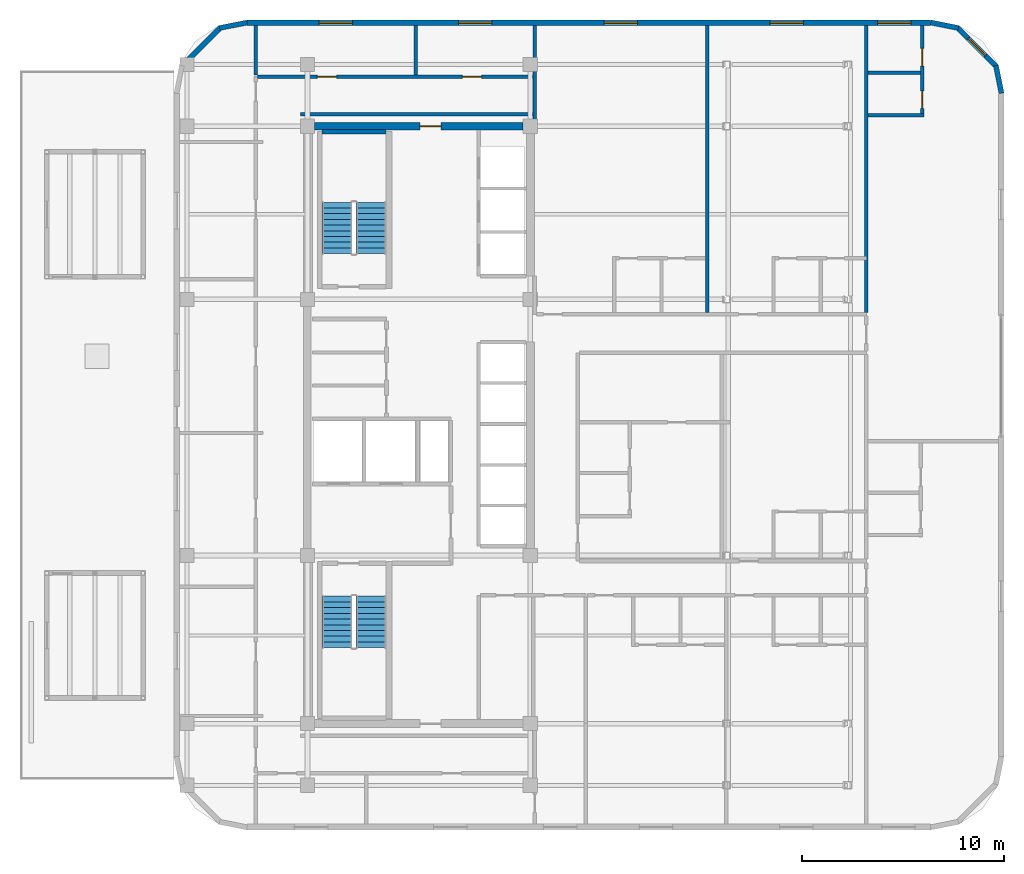
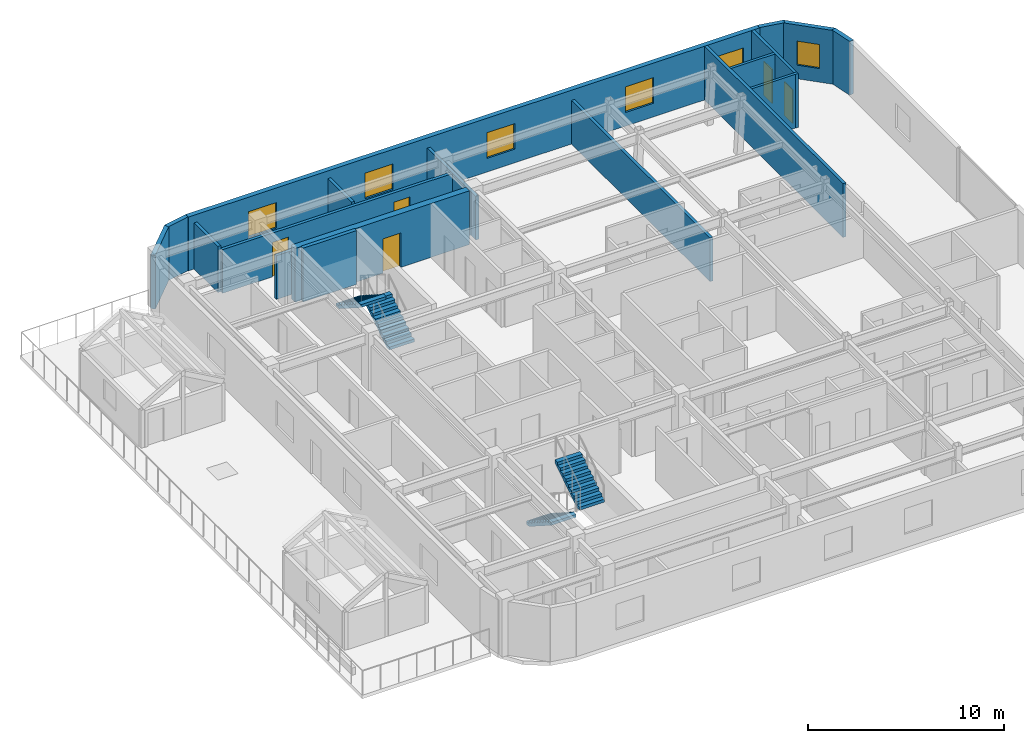
# One storey, part 15 of 16: 18 walls, 6 windows, 5 doors, 4 stair flights, 11 openings, 2 elements without a shape of their own.
"""IFC4 building model written with IfcOpenShell, lengths in metres."""

from ifc_helpers import new_model, si_unit, direction, frame, frame_2d, origin, place, context, subcontext, project, spatial, polyline, rectangle, outline, extrude, material, layer, layer_set, type_object, element, fill, aggregate, save


model = new_model("IFC4")

# Units and contexts
model_context = context("Model", 3, precision=1e-05, world=origin(), true_north=direction((0.0, 1.0)))
body_context = subcontext(model_context, "Body", "Model", "MODEL_VIEW")
ifc_project = project(units=[si_unit("LENGTHUNIT", "METRE"), si_unit("AREAUNIT", "SQUARE_METRE"), si_unit("VOLUMEUNIT", "CUBIC_METRE"), si_unit("PLANEANGLEUNIT", "RADIAN"), si_unit("MASSUNIT", "GRAM", prefix="KILO")], contexts=[model_context])

# Site, building, storey
site_placement = place(None, origin())
site = spatial("IfcSite", under=ifc_project, at=site_placement, CompositionType="ELEMENT")
building_placement = place(site_placement, origin())
building = spatial("IfcBuilding", under=site, at=building_placement, Name="Ochreholt Gables", CompositionType="ELEMENT")
storey_placement = place(building_placement, frame((0.0, 0.0, 141.0)))
storey = spatial("IfcBuildingStorey", under=building, at=storey_placement, Name="L36", CompositionType="ELEMENT", Elevation=141.0)

# Wall, opening, door
ifc_material_1 = material(Name="Concrete 50 MPa", Category="concrete")
ifc_layer_1 = layer(ifc_material_1, 0.3798828125, Name="Concrete 50 MPa")
ifc_layer_set_1 = layer_set([ifc_layer_1], Name="Concrete 50 MPa")
wall_type_1 = type_object("IfcWallType", Name="WALL-CSW-380", PredefinedType="SHEAR", material=ifc_layer_set_1)
wall_1_placement = place(storey_placement, frame((24.550048828125, 38.75, 0.0), z_axis=(0.0, 0.0, 1.0), x_axis=(1.0, 0.0, 0.0)))
wall_1 = element("IfcWall", 1, at=wall_1_placement, inside=storey, type_object=wall_type_1, Name="L36 Core North Shear Wall", PredefinedType="SHEAR", context=body_context, shape_type="SweptSolid", body=[
    extrude(rectangle(XDim=10.300048828125, YDim=0.3798828125, at=frame_2d((5.14990234375, 0.0))), origin(), (0.0, 0.0, 1.0), 3.360107421875),
])
opening_1_placement = place(wall_1_placement, frame((5.199951171875, 0.0, 0.0)))
opening_1 = element("IfcOpeningElement", 2, at=opening_1_placement, cuts=wall_1, Name="Opening D-FLB", PredefinedType="OPENING", context=body_context, shape_type="SweptSolid", body=[
    extrude(rectangle(XDim=1.050048828125, YDim=2.14990234375, at=frame_2d((0.52490234375, 1.074951171875))), frame((0.0, 0.199951171875, 0.0), z_axis=(0.0, -1.0, 0.0), x_axis=(1.0, 0.0, 0.0)), (0.0, 0.0, 1.0), 0.39990234375),
])
ifc_material_2 = material(Name="Hollow Metal Steel", Category="steel")
door_type_1 = type_object("IfcDoorType", Name="DR-INT-FLB1050", OperationType="NOTDEFINED", PredefinedType="DOOR", material=ifc_material_2)
door_1_placement = place(opening_1_placement, frame((1.050048828125, 0.0, 0.0), z_axis=(0.0, 0.0, 1.0), x_axis=(-1.0, 0.0, 0.0)))
door_1 = element("IfcDoor", 3, at=door_1_placement, inside=storey, type_object=door_type_1, Name="L36 Door D-C2CRN-L36", OperationType="SINGLE_SWING_RIGHT", OverallHeight=2.14990234375, OverallWidth=1.050048828125, PredefinedType="DOOR", context=body_context, shape_type="SweptSolid", body=[
    extrude(rectangle(XDim=1.050048828125, YDim=2.14990234375, at=frame_2d((0.52490234375, 1.074951171875))), frame((0.0, 0.02490234375, 0.0), z_axis=(0.0, -1.0, 0.0), x_axis=(1.0, 0.0, 0.0)), (0.0, 0.0, 1.0), 0.050048828125),
])
fill(opening_1, door_1)

# Wall, openings, windows
ifc_material_3 = material(Name="Precast concrete 40 MPa", Category="concrete")
ifc_layer_2 = layer(ifc_material_3, 0.280029296875, Name="Precast concrete 40 MPa")
ifc_layer_set_2 = layer_set([ifc_layer_2], Name="Precast concrete 40 MPa")
wall_type_2 = type_object("IfcWallType", Name="WALL-EXT-280", PredefinedType="SOLIDWALL", material=ifc_layer_set_2)
wall_2_placement = place(storey_placement, frame((54.97998046875, 43.860107421875, 0.0), z_axis=(0.0, 0.0, 1.0), x_axis=(-1.0, 0.0, 0.0)))
wall_2 = element("IfcWall", 4, at=wall_2_placement, inside=storey, type_object=wall_type_2, Name="L36 North Exterior Wall", PredefinedType="SOLIDWALL", context=body_context, shape_type="SweptSolid", body=[
    extrude(rectangle(XDim=33.760009765625, YDim=0.280029296875, at=frame_2d((16.8798828125, 0.0))), origin(), (0.0, 0.0, 1.0), 3.360107421875),
])
opening_2_placement = place(wall_2_placement, frame((28.554931640625, 0.0, 0.85009765625)))
opening_2 = element("IfcOpeningElement", 5, at=opening_2_placement, cuts=wall_2, Name="Opening WN-7", PredefinedType="OPENING", context=body_context, shape_type="SweptSolid", body=[
    extrude(rectangle(XDim=1.64990234375, YDim=1.60009765625, at=frame_2d((0.824951171875, 0.800048828125))), frame((0.0, 0.14990234375, 0.0), z_axis=(0.0, -1.0, 0.0), x_axis=(1.0, 0.0, 0.0)), (0.0, 0.0, 1.0), 0.300048828125),
])
opening_3_placement = place(wall_2_placement, frame((21.669921875, 0.0, 0.85009765625)))
opening_3 = element("IfcOpeningElement", 6, at=opening_3_placement, cuts=wall_2, Name="Opening WN-7", PredefinedType="OPENING", context=body_context, shape_type="SweptSolid", body=[
    extrude(rectangle(XDim=1.64990234375, YDim=1.60009765625, at=frame_2d((0.824951171875, 0.800048828125))), frame((0.0, 0.14990234375, 0.0), z_axis=(0.0, -1.0, 0.0), x_axis=(1.0, 0.0, 0.0)), (0.0, 0.0, 1.0), 0.300048828125),
])
opening_4_placement = place(wall_2_placement, frame((14.476318359375, 0.0, 0.85009765625)))
opening_4 = element("IfcOpeningElement", 7, at=opening_4_placement, cuts=wall_2, Name="Opening WN-7", PredefinedType="OPENING", context=body_context, shape_type="SweptSolid", body=[
    extrude(rectangle(XDim=1.64990234375, YDim=1.60009765625, at=frame_2d((0.824951171875, 0.800048828125))), frame((0.0, 0.14990234375, 0.0), z_axis=(0.0, -1.0, 0.0), x_axis=(1.0, 0.0, 0.0)), (0.0, 0.0, 1.0), 0.300048828125),
])
opening_5_placement = place(wall_2_placement, frame((6.2861328125, 0.0, 0.85009765625)))
opening_5 = element("IfcOpeningElement", 8, at=opening_5_placement, cuts=wall_2, Name="Opening WN-7", PredefinedType="OPENING", context=body_context, shape_type="SweptSolid", body=[
    extrude(rectangle(XDim=1.64990234375, YDim=1.60009765625, at=frame_2d((0.824951171875, 0.800048828125))), frame((0.0, 0.14990234375, 0.0), z_axis=(0.0, -1.0, 0.0), x_axis=(1.0, 0.0, 0.0)), (0.0, 0.0, 1.0), 0.300048828125),
])
opening_6_placement = place(wall_2_placement, frame((0.970947265625, 0.0, 0.85009765625)))
opening_6 = element("IfcOpeningElement", 9, at=opening_6_placement, cuts=wall_2, Name="Opening WN-7", PredefinedType="OPENING", context=body_context, shape_type="SweptSolid", body=[
    extrude(rectangle(XDim=1.64990234375, YDim=1.60009765625, at=frame_2d((0.824951171875, 0.800048828125))), frame((0.0, 0.14990234375, 0.0), z_axis=(0.0, -1.0, 0.0), x_axis=(1.0, 0.0, 0.0)), (0.0, 0.0, 1.0), 0.300048828125),
])
ifc_material_4 = material(Name="Triple-Glazed Thermally Broken Aluminium Window", Category="aluminium")
window_type_1 = type_object("IfcWindowType", Name="WIN-RES-1650", PartitioningType="SINGLE_PANEL", PredefinedType="WINDOW", material=ifc_material_4)
window_1_placement = place(opening_2_placement, origin())
window_1 = element("IfcWindow", 10, at=window_1_placement, inside=storey, type_object=window_type_1, Name="L36 Window W-EXT-N-L36-1", OverallHeight=1.60009765625, OverallWidth=1.64990234375, PartitioningType="SINGLE_PANEL", PredefinedType="WINDOW", context=body_context, shape_type="SweptSolid", body=[
    extrude(rectangle(XDim=1.64990234375, YDim=1.60009765625, at=frame_2d((0.824951171875, 0.800048828125))), frame((0.0, 0.030029296875, 0.0), z_axis=(0.0, -1.0, 0.0), x_axis=(1.0, 0.0, 0.0)), (0.0, 0.0, 1.0), 0.06005859375),
])
fill(opening_2, window_1)
window_2_placement = place(opening_3_placement, origin())
window_2 = element("IfcWindow", 11, at=window_2_placement, inside=storey, type_object=window_type_1, Name="L36 Window W-EXT-N-L36-2", OverallHeight=1.60009765625, OverallWidth=1.64990234375, PartitioningType="SINGLE_PANEL", PredefinedType="WINDOW", context=body_context, shape_type="SweptSolid", body=[
    extrude(rectangle(XDim=1.64990234375, YDim=1.60009765625, at=frame_2d((0.824951171875, 0.800048828125))), frame((0.0, 0.030029296875, 0.0), z_axis=(0.0, -1.0, 0.0), x_axis=(1.0, 0.0, 0.0)), (0.0, 0.0, 1.0), 0.06005859375),
])
fill(opening_3, window_2)
window_3_placement = place(opening_4_placement, origin())
window_3 = element("IfcWindow", 12, at=window_3_placement, inside=storey, type_object=window_type_1, Name="L36 Window W-EXT-N-L36-3", OverallHeight=1.60009765625, OverallWidth=1.64990234375, PartitioningType="SINGLE_PANEL", PredefinedType="WINDOW", context=body_context, shape_type="SweptSolid", body=[
    extrude(rectangle(XDim=1.64990234375, YDim=1.60009765625, at=frame_2d((0.824951171875, 0.800048828125))), frame((0.0, 0.030029296875, 0.0), z_axis=(0.0, -1.0, 0.0), x_axis=(1.0, 0.0, 0.0)), (0.0, 0.0, 1.0), 0.06005859375),
])
fill(opening_4, window_3)
window_4_placement = place(opening_5_placement, origin())
window_4 = element("IfcWindow", 13, at=window_4_placement, inside=storey, type_object=window_type_1, Name="L36 Window W-EXT-N-L36-4", OverallHeight=1.60009765625, OverallWidth=1.64990234375, PartitioningType="SINGLE_PANEL", PredefinedType="WINDOW", context=body_context, shape_type="SweptSolid", body=[
    extrude(rectangle(XDim=1.64990234375, YDim=1.60009765625, at=frame_2d((0.824951171875, 0.800048828125))), frame((0.0, 0.030029296875, 0.0), z_axis=(0.0, -1.0, 0.0), x_axis=(1.0, 0.0, 0.0)), (0.0, 0.0, 1.0), 0.06005859375),
])
fill(opening_5, window_4)
window_5_placement = place(opening_6_placement, origin())
window_5 = element("IfcWindow", 14, at=window_5_placement, inside=storey, type_object=window_type_1, Name="L36 Window W-EXT-N-L36-5", OverallHeight=1.60009765625, OverallWidth=1.64990234375, PartitioningType="SINGLE_PANEL", PredefinedType="WINDOW", context=body_context, shape_type="SweptSolid", body=[
    extrude(rectangle(XDim=1.64990234375, YDim=1.60009765625, at=frame_2d((0.824951171875, 0.800048828125))), frame((0.0, 0.030029296875, 0.0), z_axis=(0.0, -1.0, 0.0), x_axis=(1.0, 0.0, 0.0)), (0.0, 0.0, 1.0), 0.06005859375),
])
fill(opening_6, window_5)

# Wall
ifc_layer_3 = layer(ifc_material_3, 0.25, Name="Precast concrete 40 MPa")
ifc_layer_set_3 = layer_set([ifc_layer_3], Name="Precast concrete 40 MPa")
wall_type_3 = type_object("IfcWallType", Name="WALL-EXT-CNR", PredefinedType="SOLIDWALL", material=ifc_layer_set_3)
wall_3_placement = place(storey_placement, frame((58.475830078125, 40.383544921875, 0.0), z_axis=(0.0, 0.0, 1.0), x_axis=(-0.19496651342, 0.980809899341, 0.0)))
element("IfcWall", 15, at=wall_3_placement, inside=storey, type_object=wall_type_3, Name="L36 Rounded Corner Wall NE-1", PredefinedType="SOLIDWALL", context=body_context, shape_type="SweptSolid", body=[
    extrude(rectangle(XDim=1.388671875, YDim=0.25, at=frame_2d((0.6943359375, 0.0))), origin(), (0.0, 0.0, 1.0), 3.360107421875),
])

# Wall, opening, window
wall_4_placement = place(storey_placement, frame((58.23193359375, 41.695068359375, 0.0), z_axis=(0.0, 0.0, 1.0), x_axis=(-0.707106781187, 0.707106781187, 0.0)))
wall_4 = element("IfcWall", 16, at=wall_4_placement, inside=storey, type_object=wall_type_3, Name="L36 Rounded Corner Wall NE-2", PredefinedType="SOLIDWALL", context=body_context, shape_type="SweptSolid", body=[
    extrude(rectangle(XDim=2.7392578125, YDim=0.25, at=frame_2d((1.36962890625, 0.0))), origin(), (0.0, 0.0, 1.0), 3.360107421875),
])
opening_7_placement = place(wall_4_placement, frame((0.769775390625, 0.0, 0.85009765625)))
opening_7 = element("IfcOpeningElement", 17, at=opening_7_placement, cuts=wall_4, Name="Opening WN-3", PredefinedType="OPENING", context=body_context, shape_type="SweptSolid", body=[
    extrude(rectangle(XDim=1.199951171875, YDim=1.5, at=frame_2d((0.60009765625, 0.75))), frame((0.0, 0.135009765625, 0.0), z_axis=(0.0, -1.0, 0.0), x_axis=(1.0, 0.0, 0.0)), (0.0, 0.0, 1.0), 0.27001953125),
])
window_type_2 = type_object("IfcWindowType", Name="WIN-RES-1200", PartitioningType="SINGLE_PANEL", PredefinedType="WINDOW", material=ifc_material_4)
window_6_placement = place(opening_7_placement, origin())
window_6 = element("IfcWindow", 18, at=window_6_placement, inside=storey, type_object=window_type_2, Name="L36 Corner Bedroom Window NE", OverallHeight=1.5, OverallWidth=1.199951171875, PartitioningType="SINGLE_PANEL", PredefinedType="WINDOW", context=body_context, shape_type="SweptSolid", body=[
    extrude(rectangle(XDim=1.199951171875, YDim=1.5, at=frame_2d((0.60009765625, 0.75))), frame((0.0, 0.030029296875, 0.0), z_axis=(0.0, -1.0, 0.0), x_axis=(1.0, 0.0, 0.0)), (0.0, 0.0, 1.0), 0.06005859375),
])
fill(opening_7, window_6)

# Walls
for number, where, z_axis, x_axis, name in (
    (19, (56.345458984375, 43.60498046875, 0.0), (0.0, 0.0, 1.0), (-0.980809899341, 0.19496651342, 0.0), "L36 Rounded Corner Wall NE-3"),
    (20, (21.216552734375, 43.875732421875, 0.0), (0.0, 0.0, 1.0), (-0.980809899341, -0.19496651342, 0.0), "L36 Rounded Corner Wall NW-1"),
):
    element("IfcWall", number, at=place(storey_placement, frame(where, z_axis=z_axis, x_axis=x_axis)), inside=storey, type_object=wall_type_3, Name=name, PredefinedType="SOLIDWALL", context=body_context, shape_type="SweptSolid", body=[
        extrude(rectangle(XDim=1.388671875, YDim=0.25, at=frame_2d((0.6943359375, 0.0))), origin(), (0.0, 0.0, 1.0), 3.360107421875),
    ])
wall_5_placement = place(storey_placement, frame((19.905029296875, 43.632080078125, 0.0), z_axis=(0.0, 0.0, 1.0), x_axis=(-0.707106781187, -0.707106781187, 0.0)))
element("IfcWall", 21, at=wall_5_placement, inside=storey, type_object=wall_type_3, Name="L36 Rounded Corner Wall NW-2", PredefinedType="SOLIDWALL", context=body_context, shape_type="SweptSolid", body=[
    extrude(rectangle(XDim=2.7392578125, YDim=0.25, at=frame_2d((1.36962890625, 0.0))), origin(), (0.0, 0.0, 1.0), 3.360107421875),
])

# Wall, openings, doors
ifc_material_5 = material(Name="Fire-Rated Gypsum Acoustic Partition", Category="gypsum")
ifc_layer_4 = layer(ifc_material_5, 0.179931640625, Name="Fire-Rated Gypsum Acoustic Partition")
ifc_layer_set_4 = layer_set([ifc_layer_4], Name="Fire-Rated Gypsum Acoustic Partition")
wall_type_4 = type_object("IfcWallType", Name="WALL-INT-CR180", PredefinedType="STANDARD", material=ifc_layer_set_4)
wall_6_placement = place(storey_placement, frame((21.739990234375, 41.199951171875, 0.0), z_axis=(0.0, 0.0, 1.0), x_axis=(1.0, 0.0, 0.0)))
wall_6 = element("IfcWall", 22, at=wall_6_placement, inside=storey, type_object=wall_type_4, Name="L36 Interior Wall WI-C2WCN-L36", PredefinedType="STANDARD", context=body_context, shape_type="SweptSolid", body=[
    extrude(rectangle(XDim=13.679931640625, YDim=0.179931640625, at=frame_2d((6.83984375, 0.0))), origin(), (0.0, 0.0, 1.0), 2.72998046875),
])
opening_8_placement = place(wall_6_placement, frame((2.949951171875, 0.0, 0.0)))
opening_8 = element("IfcOpeningElement", 23, at=opening_8_placement, cuts=wall_6, Name="Opening D-GN1", PredefinedType="OPENING", context=body_context, shape_type="SweptSolid", body=[
    extrude(rectangle(XDim=0.949951171875, YDim=2.14990234375, at=frame_2d((0.47509765625, 1.074951171875))), frame((0.0, 0.099853515625, 0.0), z_axis=(0.0, -1.0, 0.0), x_axis=(1.0, 0.0, 0.0)), (0.0, 0.0, 1.0), 0.199951171875),
])
opening_9_placement = place(wall_6_placement, frame((10.110107421875, 0.0, 0.0)))
opening_9 = element("IfcOpeningElement", 24, at=opening_9_placement, cuts=wall_6, Name="Opening D-GN1", PredefinedType="OPENING", context=body_context, shape_type="SweptSolid", body=[
    extrude(rectangle(XDim=0.949951171875, YDim=2.14990234375, at=frame_2d((0.47509765625, 1.074951171875))), frame((0.0, 0.099853515625, 0.0), z_axis=(0.0, -1.0, 0.0), x_axis=(1.0, 0.0, 0.0)), (0.0, 0.0, 1.0), 0.199951171875),
])
ifc_material_6 = material(Name="Engineered Oak Timber", Category="wood")
door_type_2 = type_object("IfcDoorType", Name="DR-INT-GEN950", OperationType="NOTDEFINED", PredefinedType="DOOR", material=ifc_material_6)
door_2_placement = place(opening_8_placement, origin())
door_2 = element("IfcDoor", 25, at=door_2_placement, inside=storey, type_object=door_type_2, Name="L36 Door D-C2NRS1-L36", OperationType="SINGLE_SWING_RIGHT", OverallHeight=2.14990234375, OverallWidth=0.949951171875, PredefinedType="DOOR", context=body_context, shape_type="SweptSolid", body=[
    extrude(rectangle(XDim=0.949951171875, YDim=2.14990234375, at=frame_2d((0.47509765625, 1.074951171875))), frame((0.0, 0.02490234375, 0.0), z_axis=(0.0, -1.0, 0.0), x_axis=(1.0, 0.0, 0.0)), (0.0, 0.0, 1.0), 0.050048828125),
])
fill(opening_8, door_2)
door_3_placement = place(opening_9_placement, origin())
door_3 = element("IfcDoor", 26, at=door_3_placement, inside=storey, type_object=door_type_2, Name="L36 Door D-C2NRS2-L36", OperationType="SINGLE_SWING_LEFT", OverallHeight=2.14990234375, OverallWidth=0.949951171875, PredefinedType="DOOR", context=body_context, shape_type="SweptSolid", body=[
    extrude(rectangle(XDim=0.949951171875, YDim=2.14990234375, at=frame_2d((0.47509765625, 1.074951171875))), frame((0.0, 0.02490234375, 0.0), z_axis=(0.0, -1.0, 0.0), x_axis=(1.0, 0.0, 0.0)), (0.0, 0.0, 1.0), 0.050048828125),
])
fill(opening_9, door_3)

# Walls
wall_7_placement = place(storey_placement, frame((23.85009765625, 39.35009765625, 0.0), z_axis=(0.0, 0.0, 1.0), x_axis=(1.0, 0.0, 0.0)))
element("IfcWall", 27, at=wall_7_placement, inside=storey, type_object=wall_type_4, Name="L36 Interior Wall WI-C2WCN2-L36", PredefinedType="STANDARD", context=body_context, shape_type="SweptSolid", body=[
    extrude(rectangle(XDim=11.56982421875, YDim=0.179931640625, at=frame_2d((5.784912109375, 0.0))), origin(), (0.0, 0.0, 1.0), 2.72998046875),
])
ifc_material_7 = material(Name="Double-Stud Acoustic Demising Wall", Category="gypsum")
ifc_layer_5 = layer(ifc_material_7, 0.179931640625, Name="Double-Stud Acoustic Demising Wall")
ifc_layer_set_5 = layer_set([ifc_layer_5], Name="Double-Stud Acoustic Demising Wall")
wall_type_5 = type_object("IfcWallType", Name="WALL-INT-DM180", PredefinedType="PARTITIONING", material=ifc_layer_set_5)
wall_8_placement = place(storey_placement, frame((21.64990234375, 41.2900390625, 0.0), z_axis=(0.0, 0.0, 1.0), x_axis=(0.0, 1.0, 0.0)))
element("IfcWall", 28, at=wall_8_placement, inside=storey, type_object=wall_type_5, Name="L36 Interior Wall WI-C2WWN-L36", PredefinedType="PARTITIONING", context=body_context, shape_type="SweptSolid", body=[
    extrude(rectangle(XDim=2.429931640625, YDim=0.179931640625, at=frame_2d((1.21484375, 0.0))), origin(), (0.0, 0.0, 1.0), 2.87890625),
])
wall_9_placement = place(storey_placement, frame((35.419921875, 38.75, 0.0), z_axis=(0.0, 0.0, 1.0), x_axis=(0.0, 1.0, 0.0)))
element("IfcWall", 29, at=wall_9_placement, inside=storey, type_object=wall_type_5, Name="L36 Interior Wall WI-C2NEN-L36", PredefinedType="PARTITIONING", context=body_context, shape_type="SweptSolid", body=[
    extrude(rectangle(XDim=4.969970703125, YDim=0.179931640625, at=frame_2d((2.48486328125, 0.0))), origin(), (0.0, 0.0, 1.0), 2.72998046875),
])
wall_10_placement = place(storey_placement, frame((43.9375, 29.550048828125, 0.0), z_axis=(0.0, 0.0, 1.0), x_axis=(0.0, 1.0, 0.0)))
element("IfcWall", 30, at=wall_10_placement, inside=storey, type_object=wall_type_5, Name="L36 Interior Wall WI-C2UDN-L36", PredefinedType="PARTITIONING", context=body_context, shape_type="SweptSolid", body=[
    extrude(rectangle(XDim=14.169921875, YDim=0.179931640625, at=frame_2d((7.0849609375, 0.0))), origin(), (0.0, 0.0, 1.0), 2.72998046875),
])
wall_11_placement = place(storey_placement, frame((51.800048828125, 29.550048828125, 0.0), z_axis=(0.0, 0.0, 1.0), x_axis=(0.0, 1.0, 0.0)))
element("IfcWall", 31, at=wall_11_placement, inside=storey, type_object=wall_type_5, Name="L36 Interior Wall WI-C2FEW3-L36", PredefinedType="PARTITIONING", context=body_context, shape_type="SweptSolid", body=[
    extrude(rectangle(XDim=14.169921875, YDim=0.179931640625, at=frame_2d((7.0849609375, 0.0))), origin(), (0.0, 0.0, 1.0), 3.360107421875),
])
ifc_material_8 = material(Name="Moisture-Resistant Plumbing Chase Wall", Category="gypsum")
ifc_layer_6 = layer(ifc_material_8, 0.159912109375, Name="Moisture-Resistant Plumbing Chase Wall")
ifc_layer_set_6 = layer_set([ifc_layer_6], Name="Moisture-Resistant Plumbing Chase Wall")
wall_type_6 = type_object("IfcWallType", Name="WALL-INT-PL160", PredefinedType="PLUMBINGWALL", material=ifc_layer_set_6)
wall_12_placement = place(storey_placement, frame((51.889892578125, 39.300048828125, 0.0), z_axis=(0.0, 0.0, 1.0), x_axis=(1.0, 0.0, 0.0)))
element("IfcWall", 32, at=wall_12_placement, inside=storey, type_object=wall_type_6, Name="L36 Interior Wall WU-L36FEN-WYS", PredefinedType="PLUMBINGWALL", context=body_context, shape_type="SweptSolid", body=[
    extrude(rectangle(XDim=2.758056640625, YDim=0.159912109375, at=frame_2d((1.37890625, 0.0))), origin(), (0.0, 0.0, 1.0), 3.360107421875),
])

# Wall, openings, doors
wall_13_placement = place(storey_placement, frame((54.568115234375, 39.2099609375, 0.0), z_axis=(0.0, 0.0, 1.0), x_axis=(0.0, 1.0, 0.0)))
wall_13 = element("IfcWall", 33, at=wall_13_placement, inside=storey, type_object=wall_type_6, Name="L36 Interior Wall WU-L36FEN-WX", PredefinedType="PLUMBINGWALL", context=body_context, shape_type="SweptSolid", body=[
    extrude(rectangle(XDim=4.510009765625, YDim=0.159912109375, at=frame_2d((2.2548828125, 0.0))), origin(), (0.0, 0.0, 1.0), 3.360107421875),
])
opening_10_placement = place(wall_13_placement, frame((0.419921875, 0.0, 0.0)))
opening_10 = element("IfcOpeningElement", 34, at=opening_10_placement, cuts=wall_13, Name="Opening D-BT1", PredefinedType="OPENING", context=body_context, shape_type="SweptSolid", body=[
    extrude(rectangle(XDim=0.860107421875, YDim=2.1201171875, at=frame_2d((0.43017578125, 1.06005859375))), frame((0.0, 0.08984375, 0.0), z_axis=(0.0, -1.0, 0.0), x_axis=(1.0, 0.0, 0.0)), (0.0, 0.0, 1.0), 0.179931640625),
])
opening_11_placement = place(wall_13_placement, frame((2.512939453125, 0.0, 0.0)))
opening_11 = element("IfcOpeningElement", 35, at=opening_11_placement, cuts=wall_13, Name="Opening D-GN2", PredefinedType="OPENING", context=body_context, shape_type="SweptSolid", body=[
    extrude(rectangle(XDim=0.8798828125, YDim=2.1201171875, at=frame_2d((0.43994140625, 1.06005859375))), frame((0.0, 0.08984375, 0.0), z_axis=(0.0, -1.0, 0.0), x_axis=(1.0, 0.0, 0.0)), (0.0, 0.0, 1.0), 0.179931640625),
])
door_type_3 = type_object("IfcDoorType", Name="DR-INT-BTH860", OperationType="NOTDEFINED", PredefinedType="DOOR", material=ifc_material_6)
door_4_placement = place(opening_10_placement, origin())
door_4 = element("IfcDoor", 36, at=door_4_placement, inside=storey, type_object=door_type_3, Name="L36 Door D-U-L36FEN-BTH", OperationType="SINGLE_SWING_RIGHT", OverallHeight=2.1201171875, OverallWidth=0.860107421875, PredefinedType="DOOR", context=body_context, shape_type="SweptSolid", body=[
    extrude(rectangle(XDim=0.860107421875, YDim=2.1201171875, at=frame_2d((0.43017578125, 1.06005859375))), frame((0.0, 0.02490234375, 0.0), z_axis=(0.0, -1.0, 0.0), x_axis=(1.0, 0.0, 0.0)), (0.0, 0.0, 1.0), 0.050048828125),
])
fill(opening_10, door_4)
door_type_4 = type_object("IfcDoorType", Name="DR-INT-GEN880", OperationType="NOTDEFINED", PredefinedType="DOOR", material=ifc_material_6)
door_5_placement = place(opening_11_placement, origin())
door_5 = element("IfcDoor", 37, at=door_5_placement, inside=storey, type_object=door_type_4, Name="L36 Door D-U-L36FEN-KIT", OperationType="SINGLE_SWING_LEFT", OverallHeight=2.1201171875, OverallWidth=0.8798828125, PredefinedType="DOOR", context=body_context, shape_type="SweptSolid", body=[
    extrude(rectangle(XDim=0.8798828125, YDim=2.1201171875, at=frame_2d((0.43994140625, 1.06005859375))), frame((0.0, 0.02490234375, 0.0), z_axis=(0.0, -1.0, 0.0), x_axis=(1.0, 0.0, 0.0)), (0.0, 0.0, 1.0), 0.050048828125),
])
fill(opening_11, door_5)

# Walls
wall_14_placement = place(storey_placement, frame((51.889892578125, 41.39306640625, 0.0), z_axis=(0.0, 0.0, 1.0), x_axis=(1.0, 0.0, 0.0)))
element("IfcWall", 38, at=wall_14_placement, inside=storey, type_object=wall_type_6, Name="L36 Interior Wall WU-L36FEN-WM", PredefinedType="PLUMBINGWALL", context=body_context, shape_type="SweptSolid", body=[
    extrude(rectangle(XDim=2.59814453125, YDim=0.159912109375, at=frame_2d((1.299072265625, 0.0))), origin(), (0.0, 0.0, 1.0), 3.360107421875),
])
ifc_material_9 = material(Name="Gypsum Acoustic Stud Partition", Category="gypsum")
ifc_layer_7 = layer(ifc_material_9, 0.1650390625, Name="Gypsum Acoustic Stud Partition")
ifc_layer_set_7 = layer_set([ifc_layer_7], Name="Gypsum Acoustic Stud Partition")
wall_type_7 = type_object("IfcWallType", Name="WALL-INT-PT165", PredefinedType="PARTITIONING", material=ifc_layer_set_7)
wall_15_placement = place(storey_placement, frame((29.550048828125, 41.2900390625, 0.0), z_axis=(0.0, 0.0, 1.0), x_axis=(0.0, 1.0, 0.0)))
element("IfcWall", 39, at=wall_15_placement, inside=storey, type_object=wall_type_7, Name="L36 Interior Wall WI-C2PKN-L36", PredefinedType="PARTITIONING", context=body_context, shape_type="SweptSolid", body=[
    extrude(rectangle(XDim=2.429931640625, YDim=0.1650390625, at=frame_2d((1.21484375, 0.0))), origin(), (0.0, 0.0, 1.0), 2.87890625),
])
ifc_layer_8 = layer(ifc_material_1, 0.219970703125, Name="Concrete 50 MPa")
ifc_layer_set_8 = layer_set([ifc_layer_8], Name="Concrete 50 MPa")
wall_type_8 = type_object("IfcWallType", Name="WALL-STW-220", PredefinedType="SHEAR", material=ifc_layer_set_8)
wall_16_placement = place(storey_placement, frame((24.919921875, 38.489990234375, 0.0), z_axis=(0.0, 0.0, 1.0), x_axis=(1.0, 0.0, 0.0)))
element("IfcWall", 40, at=wall_16_placement, inside=storey, type_object=wall_type_8, Name="L36 Exit Stair 2 North Wall", PredefinedType="SHEAR", context=body_context, shape_type="SweptSolid", body=[
    extrude(rectangle(XDim=3.16015625, YDim=0.219970703125, at=frame_2d((1.580078125, 0.0))), origin(), (0.0, 0.0, 1.0), 3.360107421875),
])

# Stair, stair flights
ifc_material_10 = material(Name="Concrete 40 MPa", Category="concrete")
stair_type_1 = type_object("IfcStairType", Name="STAIR-CORE-ST-1", PredefinedType="HALF_TURN_STAIR", material=ifc_material_10)
stair_1_placement = place(storey_placement, origin())
stair_1 = element("IfcStair", 41, at=stair_1_placement, inside=storey, type_object=stair_type_1, Name="L36 Core Exit Stair 1", PredefinedType="HALF_TURN_STAIR")
stair_flight_type = type_object("IfcStairFlightType", Name="FLIGHT-ST-1480-1800", PredefinedType="STRAIGHT", material=ifc_material_10)
stair_flight_1_placement = place(storey_placement, frame((25.659912109375, 15.5400390625, 0.0), z_axis=(0.0, 0.0, 1.0), x_axis=(0.0, -1.0, 0.0)))
stair_flight_1 = element("IfcStairFlight", 42, at=stair_flight_1_placement, type_object=stair_flight_type, Name="ST-1 flight 1", NumberOfRisers=10, NumberOfTreads=9, PredefinedType="STRAIGHT", RiserHeight=0.18, TreadLength=0.282, context=body_context, shape_type="SweptSolid", body=[
    extrude(outline(polyline([(0.0, 0.0), (0.0, 0.179931640625), (0.281982421875, 0.179931640625), (0.281982421875, 0.360107421875), (0.56396484375, 0.360107421875), (0.56396484375, 0.5400390625), (0.845947265625, 0.5400390625), (0.845947265625, 0.719970703125), (1.1279296875, 0.719970703125), (1.1279296875, 0.89990234375), (1.409912109375, 0.89990234375), (1.409912109375, 1.080078125), (1.69189453125, 1.080078125), (1.69189453125, 1.260009765625), (1.97412109375, 1.260009765625), (1.97412109375, 1.43994140625), (2.256103515625, 1.43994140625), (2.256103515625, 1.6201171875), (2.5380859375, 1.6201171875), (2.5380859375, 1.800048828125), (2.5380859375, 1.442138671875), (0.278564453125, 0.0), (0.0, 0.0)])), frame((0.0, 0.739990234375, 0.0), z_axis=(0.0, -1.0, 0.0), x_axis=(1.0, 0.0, 0.0)), (0.0, 0.0, 1.0), 1.47998046875),
])
stair_flight_2_placement = place(storey_placement, frame((27.340087890625, 13.001953125, 1.800048828125), z_axis=(0.0, 0.0, 1.0), x_axis=(0.0, 1.0, 0.0)))
stair_flight_2 = element("IfcStairFlight", 43, at=stair_flight_2_placement, type_object=stair_flight_type, Name="ST-1 flight 2", NumberOfRisers=10, NumberOfTreads=9, PredefinedType="STRAIGHT", RiserHeight=0.18, TreadLength=0.282, context=body_context, shape_type="SweptSolid", body=[
    extrude(outline(polyline([(0.0, 0.0), (0.0, 0.179931640625), (0.281982421875, 0.179931640625), (0.281982421875, 0.360107421875), (0.56396484375, 0.360107421875), (0.56396484375, 0.5400390625), (0.845947265625, 0.5400390625), (0.845947265625, 0.719970703125), (1.1279296875, 0.719970703125), (1.1279296875, 0.89990234375), (1.409912109375, 0.89990234375), (1.409912109375, 1.080078125), (1.69189453125, 1.080078125), (1.69189453125, 1.260009765625), (1.97412109375, 1.260009765625), (1.97412109375, 1.43994140625), (2.256103515625, 1.43994140625), (2.256103515625, 1.6201171875), (2.5380859375, 1.6201171875), (2.5380859375, 1.800048828125), (2.5380859375, 1.442138671875), (0.278564453125, 0.0), (0.0, 0.0)])), frame((0.0, 0.739990234375, 0.0), z_axis=(0.0, -1.0, 0.0), x_axis=(1.0, 0.0, 0.0)), (0.0, 0.0, 1.0), 1.47998046875),
])
aggregate(stair_1, [stair_flight_1, stair_flight_2])

stair_type_2 = type_object("IfcStairType", Name="STAIR-CORE-ST-2", PredefinedType="HALF_TURN_STAIR", material=ifc_material_10)
stair_2_placement = place(storey_placement, origin())
stair_2 = element("IfcStair", 44, at=stair_2_placement, inside=storey, type_object=stair_type_2, Name="L36 Core Exit Stair 2", PredefinedType="HALF_TURN_STAIR")
stair_flight_3_placement = place(storey_placement, frame((27.340087890625, 32.4599609375, 0.0), z_axis=(0.0, 0.0, 1.0), x_axis=(0.0, 1.0, 0.0)))
stair_flight_3 = element("IfcStairFlight", 45, at=stair_flight_3_placement, type_object=stair_flight_type, Name="ST-2 flight 1", NumberOfRisers=10, NumberOfTreads=9, PredefinedType="STRAIGHT", RiserHeight=0.18, TreadLength=0.282, context=body_context, shape_type="SweptSolid", body=[
    extrude(outline(polyline([(0.0, 0.0), (0.0, 0.179931640625), (0.281982421875, 0.179931640625), (0.281982421875, 0.360107421875), (0.56396484375, 0.360107421875), (0.56396484375, 0.5400390625), (0.845947265625, 0.5400390625), (0.845947265625, 0.719970703125), (1.1279296875, 0.719970703125), (1.1279296875, 0.89990234375), (1.409912109375, 0.89990234375), (1.409912109375, 1.080078125), (1.69189453125, 1.080078125), (1.69189453125, 1.260009765625), (1.97412109375, 1.260009765625), (1.97412109375, 1.43994140625), (2.256103515625, 1.43994140625), (2.256103515625, 1.6201171875), (2.5380859375, 1.6201171875), (2.5380859375, 1.800048828125), (2.5380859375, 1.442138671875), (0.278564453125, 0.0), (0.0, 0.0)])), frame((0.0, 0.739990234375, 0.0), z_axis=(0.0, -1.0, 0.0), x_axis=(1.0, 0.0, 0.0)), (0.0, 0.0, 1.0), 1.47998046875),
])
stair_flight_4_placement = place(storey_placement, frame((25.659912109375, 34.998046875, 1.800048828125), z_axis=(0.0, 0.0, 1.0), x_axis=(0.0, -1.0, 0.0)))
stair_flight_4 = element("IfcStairFlight", 46, at=stair_flight_4_placement, type_object=stair_flight_type, Name="ST-2 flight 2", NumberOfRisers=10, NumberOfTreads=9, PredefinedType="STRAIGHT", RiserHeight=0.18, TreadLength=0.282, context=body_context, shape_type="SweptSolid", body=[
    extrude(outline(polyline([(0.0, 0.0), (0.0, 0.179931640625), (0.281982421875, 0.179931640625), (0.281982421875, 0.360107421875), (0.56396484375, 0.360107421875), (0.56396484375, 0.5400390625), (0.845947265625, 0.5400390625), (0.845947265625, 0.719970703125), (1.1279296875, 0.719970703125), (1.1279296875, 0.89990234375), (1.409912109375, 0.89990234375), (1.409912109375, 1.080078125), (1.69189453125, 1.080078125), (1.69189453125, 1.260009765625), (1.97412109375, 1.260009765625), (1.97412109375, 1.43994140625), (2.256103515625, 1.43994140625), (2.256103515625, 1.6201171875), (2.5380859375, 1.6201171875), (2.5380859375, 1.800048828125), (2.5380859375, 1.442138671875), (0.278564453125, 0.0), (0.0, 0.0)])), frame((0.0, 0.739990234375, 0.0), z_axis=(0.0, -1.0, 0.0), x_axis=(1.0, 0.0, 0.0)), (0.0, 0.0, 1.0), 1.47998046875),
])
aggregate(stair_2, [stair_flight_3, stair_flight_4])

save(model, "model.ifc")
